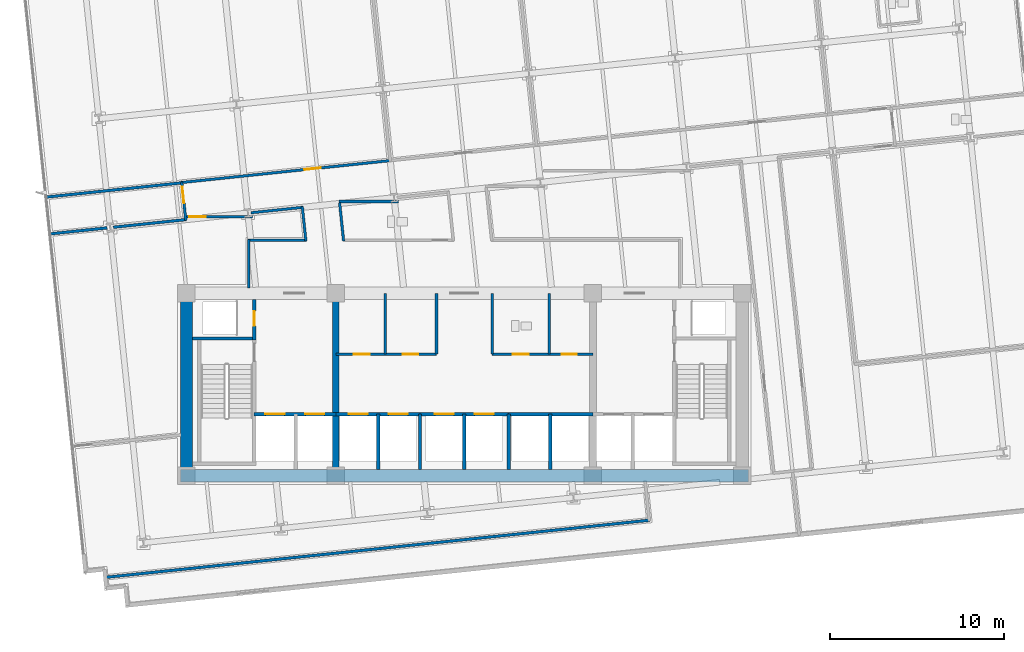
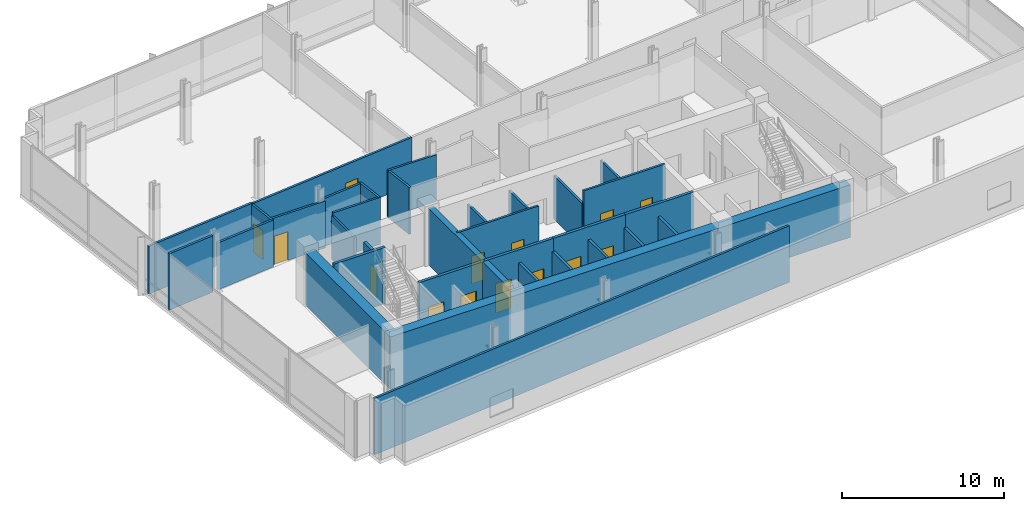
# One storey, part 12 of 20: 33 walls, 14 doors, 14 openings.
"""IFC4 building model written with IfcOpenShell, lengths in metres."""

from ifc_helpers import new_model, si_unit, direction, frame, frame_2d, origin, place, context, subcontext, project, spatial, rectangle, extrude, material, layer, layer_set, type_object, element, fill, save


model = new_model("IFC4")

# Units and contexts
model_context = context("Model", 3, precision=1e-05, world=origin(), true_north=direction((0.0, 1.0)))
body_context = subcontext(model_context, "Body", "Model", "MODEL_VIEW")
ifc_project = project(units=[si_unit("LENGTHUNIT", "METRE"), si_unit("AREAUNIT", "SQUARE_METRE"), si_unit("VOLUMEUNIT", "CUBIC_METRE"), si_unit("PLANEANGLEUNIT", "RADIAN"), si_unit("MASSUNIT", "GRAM", prefix="KILO")], contexts=[model_context])

# Site, building, storey
site_placement = place(None, origin())
site = spatial("IfcSite", under=ifc_project, at=site_placement, CompositionType="ELEMENT")
building_placement = place(site_placement, origin())
building = spatial("IfcBuilding", under=site, at=building_placement, Name="Solmavex Isthmus Hotel", CompositionType="ELEMENT")
storey_placement = place(building_placement, frame((0.0, 0.0, 97.35009765625)))
storey = spatial("IfcBuildingStorey", under=building, at=storey_placement, Name="L26", CompositionType="ELEMENT", Elevation=97.35009765625)

# Walls
ifc_material_1 = material(Name="Gypsum plasterboard lining", Category="gypsum")
ifc_layer_1 = layer(ifc_material_1, 0.159912109375)
ifc_layer_set_1 = layer_set([ifc_layer_1], Name="Gypsum plasterboard lining")
wall_type_1 = type_object("IfcWallType", Name="IW-COMP-160", PredefinedType="PARTITIONING", material=ifc_layer_set_1)
wall_1_placement = place(storey_placement, frame((-16.221923828125, 3.86474609375, 0.0), z_axis=(0.0, 0.0, 1.0), x_axis=(-0.994522987852, -0.104518068455, 0.0)))
element("IfcWall", 1, at=wall_1_placement, inside=storey, type_object=wall_type_1, Name="Interior Partition Wall W-L26-P032", PredefinedType="PARTITIONING", context=body_context, shape_type="SweptSolid", body=[
    extrude(rectangle(XDim=7.927978515625, YDim=0.159912109375, at=frame_2d((3.9638671875, 0.0))), origin(), (0.0, 0.0, 1.0), 3.60302734375),
])
wall_2_placement = place(storey_placement, frame((-20.558349609375, 1.267333984375, 0.0), z_axis=(0.0, 0.0, 1.0), x_axis=(-0.99451904707, -0.10455555946, 0.0)))
element("IfcWall", 2, at=wall_2_placement, inside=storey, type_object=wall_type_1, Name="Interior Partition Wall W-L26-P050", PredefinedType="PARTITIONING", context=body_context, shape_type="SweptSolid", body=[
    extrude(rectangle(XDim=3.34375, YDim=0.159912109375, at=frame_2d((1.671875, 0.0))), origin(), (0.0, 0.0, 1.0), 4.239990234375),
])
wall_3_placement = place(storey_placement, frame((-15.9892578125, 1.74755859375, 0.0), z_axis=(0.0, 0.0, 1.0), x_axis=(-0.994523098997, -0.104517010867, 0.0)))
element("IfcWall", 3, at=wall_3_placement, inside=storey, type_object=wall_type_1, Name="Interior Partition Wall W-L26-P051", PredefinedType="PARTITIONING", context=body_context, shape_type="SweptSolid", body=[
    extrude(rectangle(XDim=4.241943359375, YDim=0.159912109375, at=frame_2d((2.12109375, 0.0))), origin(), (0.0, 0.0, 1.0), 3.529296875),
])
wall_4_placement = place(storey_placement, frame((10.687744140625, -15.558837890625, 0.0), z_axis=(0.0, 0.0, 1.0), x_axis=(-0.994522141115, -0.104526125114, 0.0)))
element("IfcWall", 4, at=wall_4_placement, inside=storey, type_object=wall_type_1, Name="Interior Partition Wall W-L26-P056", PredefinedType="PARTITIONING", context=body_context, shape_type="SweptSolid", body=[
    extrude(rectangle(XDim=31.559814453125, YDim=0.159912109375, at=frame_2d((15.77978515625, 0.0))), origin(), (0.0, 0.0, 1.0), 4.239990234375),
])

# Wall, openings, doors
ifc_layer_2 = layer(ifc_material_1, 0.14990234375)
ifc_layer_set_2 = layer_set([ifc_layer_2], Name="Gypsum plasterboard lining")
wall_type_2 = type_object("IfcWallType", Name="IW-CORR-150", PredefinedType="PARTITIONING", material=ifc_layer_set_2)
wall_5_placement = place(storey_placement, frame((-7.39990234375, -6.0, 0.0), z_axis=(0.0, 0.0, 1.0), x_axis=(1.0, 0.0, 0.0)))
wall_5 = element("IfcWall", 5, at=wall_5_placement, inside=storey, type_object=wall_type_2, Name="Interior Partition Wall W-L26-BOH-WS", PredefinedType="PARTITIONING", context=body_context, shape_type="SweptSolid", body=[
    extrude(rectangle(XDim=5.7998046875, YDim=0.14990234375, at=frame_2d((2.89990234375, 0.0))), origin(), (0.0, 0.0, 1.0), 4.239990234375),
])
opening_1_placement = place(wall_5_placement, frame((1.050048828125, 0.0, 0.0)))
opening_1 = element("IfcOpeningElement", 6, at=opening_1_placement, cuts=wall_5, Name="Opening ID-C090", PredefinedType="OPENING", context=body_context, shape_type="SweptSolid", body=[
    extrude(rectangle(XDim=0.89990234375, YDim=2.10009765625, at=frame_2d((0.449951171875, 1.050048828125))), frame((0.0, 0.0849609375, 0.0), z_axis=(0.0, -1.0, 0.0), x_axis=(1.0, 0.0, 0.0)), (0.0, 0.0, 1.0), 0.169921875),
])
opening_2_placement = place(wall_5_placement, frame((3.85009765625, 0.0, 0.0)))
opening_2 = element("IfcOpeningElement", 7, at=opening_2_placement, cuts=wall_5, Name="Opening ID-C090", PredefinedType="OPENING", context=body_context, shape_type="SweptSolid", body=[
    extrude(rectangle(XDim=0.89990234375, YDim=2.10009765625, at=frame_2d((0.449951171875, 1.050048828125))), frame((0.0, 0.0849609375, 0.0), z_axis=(0.0, -1.0, 0.0), x_axis=(1.0, 0.0, 0.0)), (0.0, 0.0, 1.0), 0.169921875),
])
ifc_material_2 = material(Name="Hardwood timber", Category="wood")
door_type_1 = type_object("IfcDoorType", Name="IDR-FD60-0900", OperationType="NOTDEFINED", PredefinedType="DOOR", material=ifc_material_2)
door_1_placement = place(opening_1_placement, frame((0.89990234375, 0.0, 0.0), z_axis=(0.0, 0.0, 1.0), x_axis=(-1.0, 0.0, 0.0)))
door_1 = element("IfcDoor", 8, at=door_1_placement, inside=storey, type_object=door_type_1, Name="Linen Room Door L26", OperationType="SINGLE_SWING_LEFT", OverallHeight=2.10009765625, OverallWidth=0.89990234375, PredefinedType="DOOR", context=body_context, shape_type="SweptSolid", body=[
    extrude(rectangle(XDim=0.89990234375, YDim=2.10009765625, at=frame_2d((0.449951171875, 1.050048828125))), frame((0.0, 0.02490234375, 0.0), z_axis=(0.0, -1.0, 0.0), x_axis=(1.0, 0.0, 0.0)), (0.0, 0.0, 1.0), 0.050048828125),
])
fill(opening_1, door_1)
door_2_placement = place(opening_2_placement, frame((0.89990234375, 0.0, 0.0), z_axis=(0.0, 0.0, 1.0), x_axis=(-1.0, 0.0, 0.0)))
door_2 = element("IfcDoor", 9, at=door_2_placement, inside=storey, type_object=door_type_1, Name="Ice Pantry Door L26", OperationType="SINGLE_SWING_RIGHT", OverallHeight=2.10009765625, OverallWidth=0.89990234375, PredefinedType="DOOR", context=body_context, shape_type="SweptSolid", body=[
    extrude(rectangle(XDim=0.89990234375, YDim=2.10009765625, at=frame_2d((0.449951171875, 1.050048828125))), frame((0.0, 0.02490234375, 0.0), z_axis=(0.0, -1.0, 0.0), x_axis=(1.0, 0.0, 0.0)), (0.0, 0.0, 1.0), 0.050048828125),
])
fill(opening_2, door_2)

# Wall
wall_6_placement = place(storey_placement, frame((-1.60009765625, -6.0, 0.0), z_axis=(0.0, 0.0, 1.0), x_axis=(0.0, 1.0, 0.0)))
element("IfcWall", 10, at=wall_6_placement, inside=storey, type_object=wall_type_2, Name="Interior Partition Wall W-L26-BOH-WE", PredefinedType="PARTITIONING", context=body_context, shape_type="SweptSolid", body=[
    extrude(rectangle(XDim=3.5, YDim=0.14990234375, at=frame_2d((1.75, 0.0))), origin(), (0.0, 0.0, 1.0), 3.27490234375),
])

# Wall, openings, doors
wall_7_placement = place(storey_placement, frame((1.60009765625, -6.0, 0.0), z_axis=(0.0, 0.0, 1.0), x_axis=(1.0, 0.0, 0.0)))
wall_7 = element("IfcWall", 11, at=wall_7_placement, inside=storey, type_object=wall_type_2, Name="Interior Partition Wall W-L26-BOH-ES", PredefinedType="PARTITIONING", context=body_context, shape_type="SweptSolid", body=[
    extrude(rectangle(XDim=5.7998046875, YDim=0.14990234375, at=frame_2d((2.89990234375, 0.0))), origin(), (0.0, 0.0, 1.0), 4.239990234375),
])
opening_3_placement = place(wall_7_placement, frame((1.199951171875, 0.0, 0.0)))
opening_3 = element("IfcOpeningElement", 12, at=opening_3_placement, cuts=wall_7, Name="Opening ID-C090", PredefinedType="OPENING", context=body_context, shape_type="SweptSolid", body=[
    extrude(rectangle(XDim=0.89990234375, YDim=2.10009765625, at=frame_2d((0.449951171875, 1.050048828125))), frame((0.0, 0.0849609375, 0.0), z_axis=(0.0, -1.0, 0.0), x_axis=(1.0, 0.0, 0.0)), (0.0, 0.0, 1.0), 0.169921875),
])
opening_4_placement = place(wall_7_placement, frame((4.02490234375, 0.0, 0.0)))
opening_4 = element("IfcOpeningElement", 13, at=opening_4_placement, cuts=wall_7, Name="Opening ID-R085", PredefinedType="OPENING", context=body_context, shape_type="SweptSolid", body=[
    extrude(rectangle(XDim=0.85009765625, YDim=2.050048828125, at=frame_2d((0.425048828125, 1.02490234375))), frame((0.0, 0.0849609375, 0.0), z_axis=(0.0, -1.0, 0.0), x_axis=(1.0, 0.0, 0.0)), (0.0, 0.0, 1.0), 0.169921875),
])
ifc_material_3 = material(Name="Steel ASTM A500 Grade C", Category="steel")
door_type_2 = type_object("IfcDoorType", Name="IDR-FD60-0850", OperationType="NOTDEFINED", PredefinedType="DOOR", material=ifc_material_3)
door_3_placement = place(opening_4_placement, frame((0.85009765625, 0.0, 0.0), z_axis=(0.0, 0.0, 1.0), x_axis=(-1.0, 0.0, 0.0)))
door_3 = element("IfcDoor", 14, at=door_3_placement, inside=storey, type_object=door_type_2, Name="IT Room Door L26", OperationType="SINGLE_SWING_RIGHT", OverallHeight=2.050048828125, OverallWidth=0.85009765625, PredefinedType="DOOR", context=body_context, shape_type="SweptSolid", body=[
    extrude(rectangle(XDim=0.85009765625, YDim=2.050048828125, at=frame_2d((0.425048828125, 1.02490234375))), frame((0.0, 0.02490234375, 0.0), z_axis=(0.0, -1.0, 0.0), x_axis=(1.0, 0.0, 0.0)), (0.0, 0.0, 1.0), 0.050048828125),
])
fill(opening_4, door_3)
door_4_placement = place(opening_3_placement, frame((0.89990234375, 0.0, 0.0), z_axis=(0.0, 0.0, 1.0), x_axis=(-1.0, 0.0, 0.0)))
door_4 = element("IfcDoor", 15, at=door_4_placement, inside=storey, type_object=door_type_1, Name="Staff Restroom Door L26", OperationType="SINGLE_SWING_LEFT", OverallHeight=2.10009765625, OverallWidth=0.89990234375, PredefinedType="DOOR", context=body_context, shape_type="SweptSolid", body=[
    extrude(rectangle(XDim=0.89990234375, YDim=2.10009765625, at=frame_2d((0.449951171875, 1.050048828125))), frame((0.0, 0.02490234375, 0.0), z_axis=(0.0, -1.0, 0.0), x_axis=(1.0, 0.0, 0.0)), (0.0, 0.0, 1.0), 0.050048828125),
])
fill(opening_3, door_4)

# Wall
wall_8_placement = place(storey_placement, frame((1.60009765625, -6.0, 0.0), z_axis=(0.0, 0.0, 1.0), x_axis=(0.0, 1.0, 0.0)))
element("IfcWall", 16, at=wall_8_placement, inside=storey, type_object=wall_type_2, Name="Interior Partition Wall W-L26-BOH-EW", PredefinedType="PARTITIONING", context=body_context, shape_type="SweptSolid", body=[
    extrude(rectangle(XDim=3.5, YDim=0.14990234375, at=frame_2d((1.75, 0.0))), origin(), (0.0, 0.0, 1.0), 3.27490234375),
])

# Wall, opening, door
wall_9_placement = place(storey_placement, frame((-16.303466796875, 3.87646484375, 0.0), z_axis=(0.0, 0.0, 1.0), x_axis=(0.994522343224, 0.104524202122, 0.0)))
wall_9 = element("IfcWall", 17, at=wall_9_placement, inside=storey, type_object=wall_type_2, Name="Interior Partition Wall W-L26-P001", PredefinedType="PARTITIONING", context=body_context, shape_type="SweptSolid", body=[
    extrude(rectangle(XDim=12.187744140625, YDim=0.14990234375, at=frame_2d((6.09375, 0.0))), origin(), (0.0, 0.0, 1.0), 3.529296875),
])
opening_5_placement = place(wall_9_placement, frame((7.14453125, 0.0, 0.0)))
opening_5 = element("IfcOpeningElement", 18, at=opening_5_placement, cuts=wall_9, Name="Opening ID-C095", PredefinedType="OPENING", context=body_context, shape_type="SweptSolid", body=[
    extrude(rectangle(XDim=0.949951171875, YDim=2.14990234375, at=frame_2d((0.47509765625, 1.074951171875))), frame((0.0, 0.0849609375, 0.0), z_axis=(0.0, -1.0, 0.0), x_axis=(1.0, 0.0, 0.0)), (0.0, 0.0, 1.0), 0.169921875),
])
door_type_3 = type_object("IfcDoorType", Name="IDR-FD60-0950", OperationType="NOTDEFINED", PredefinedType="DOOR", material=ifc_material_2)
door_5_placement = place(opening_5_placement, origin())
door_5 = element("IfcDoor", 19, at=door_5_placement, inside=storey, type_object=door_type_3, Name="Corporate Briefing Office Door L26-01", OperationType="SINGLE_SWING_LEFT", OverallHeight=2.14990234375, OverallWidth=0.949951171875, PredefinedType="DOOR", context=body_context, shape_type="SweptSolid", body=[
    extrude(rectangle(XDim=0.949951171875, YDim=2.14990234375, at=frame_2d((0.47509765625, 1.074951171875))), frame((0.0, 0.02490234375, 0.0), z_axis=(0.0, -1.0, 0.0), x_axis=(1.0, 0.0, 0.0)), (0.0, 0.0, 1.0), 0.050048828125),
])
fill(opening_5, door_5)

# Walls
wall_10_placement = place(storey_placement, frame((-3.7841796875, 2.78857421875, 0.0), z_axis=(0.0, 0.0, 1.0), x_axis=(-1.0, 0.0, 0.0)))
element("IfcWall", 20, at=wall_10_placement, inside=storey, type_object=wall_type_2, Name="Interior Partition Wall W-L26-P005", PredefinedType="PARTITIONING", context=body_context, shape_type="SweptSolid", body=[
    extrude(rectangle(XDim=3.430419921875, YDim=0.14990234375, at=frame_2d((1.71533203125, 0.0))), origin(), (0.0, 0.0, 1.0), 3.529296875),
])
wall_11_placement = place(storey_placement, frame((-7.178955078125, 2.7138671875, 0.0), z_axis=(0.0, 0.0, 1.0), x_axis=(0.104455355485, -0.994529576589, 0.0)))
element("IfcWall", 21, at=wall_11_placement, inside=storey, type_object=wall_type_2, Name="Interior Partition Wall W-L26-P006", PredefinedType="PARTITIONING", context=body_context, shape_type="SweptSolid", body=[
    extrude(rectangle(XDim=2.2158203125, YDim=0.14990234375, at=frame_2d((1.10791015625, 0.0))), origin(), (0.0, 0.0, 1.0), 3.529296875),
])

# Wall, opening, door
wall_12_placement = place(storey_placement, frame((-16.034912109375, 1.70263671875, 0.0), z_axis=(0.0, 0.0, 1.0), x_axis=(-0.104512255544, 0.994523598735, 0.0)))
wall_12 = element("IfcWall", 22, at=wall_12_placement, inside=storey, type_object=wall_type_2, Name="Interior Partition Wall W-L26-P011", PredefinedType="PARTITIONING", context=body_context, shape_type="SweptSolid", body=[
    extrude(rectangle(XDim=2.2099609375, YDim=0.14990234375, at=frame_2d((1.10498046875, 0.0))), origin(), (0.0, 0.0, 1.0), 3.529296875),
])
opening_6_placement = place(wall_12_placement, frame((0.98779296875, 0.0, 0.0)))
opening_6 = element("IfcOpeningElement", 23, at=opening_6_placement, cuts=wall_12, Name="Opening ID-C095", PredefinedType="OPENING", context=body_context, shape_type="SweptSolid", body=[
    extrude(rectangle(XDim=0.949951171875, YDim=2.14990234375, at=frame_2d((0.47509765625, 1.074951171875))), frame((0.0, 0.0849609375, 0.0), z_axis=(0.0, -1.0, 0.0), x_axis=(1.0, 0.0, 0.0)), (0.0, 0.0, 1.0), 0.169921875),
])
door_6_placement = place(opening_6_placement, origin())
door_6 = element("IfcDoor", 24, at=door_6_placement, inside=storey, type_object=door_type_3, Name="Servery Kitchen Door L26-10", OperationType="SINGLE_SWING_RIGHT", OverallHeight=2.14990234375, OverallWidth=0.949951171875, PredefinedType="DOOR", context=body_context, shape_type="SweptSolid", body=[
    extrude(rectangle(XDim=0.949951171875, YDim=2.14990234375, at=frame_2d((0.47509765625, 1.074951171875))), frame((0.0, 0.02490234375, 0.0), z_axis=(0.0, -1.0, 0.0), x_axis=(1.0, 0.0, 0.0)), (0.0, 0.0, 1.0), 0.050048828125),
])
fill(opening_6, door_6)

# Walls
wall_13_placement = place(storey_placement, frame((-12.39990234375, -2.18994140625, 0.0), z_axis=(0.0, 0.0, 1.0), x_axis=(0.0, 1.0, 0.0)))
element("IfcWall", 25, at=wall_13_placement, inside=storey, type_object=wall_type_2, Name="Interior Partition Wall W-L26-P012", PredefinedType="PARTITIONING", context=body_context, shape_type="SweptSolid", body=[
    extrude(rectangle(XDim=2.780029296875, YDim=0.14990234375, at=frame_2d((1.39013671875, 0.0))), origin(), (0.0, 0.0, 1.0), 3.27490234375),
])
wall_14_placement = place(storey_placement, frame((-12.43994140625, 0.550048828125, 0.0), z_axis=(0.0, 0.0, 1.0), x_axis=(1.0, 0.0, 0.0)))
element("IfcWall", 26, at=wall_14_placement, inside=storey, type_object=wall_type_2, Name="Interior Partition Wall W-L26-P013", PredefinedType="PARTITIONING", context=body_context, shape_type="SweptSolid", body=[
    extrude(rectangle(XDim=3.3564453125, YDim=0.14990234375, at=frame_2d((1.67822265625, 0.0))), origin(), (0.0, 0.0, 1.0), 3.529296875),
])
wall_15_placement = place(storey_placement, frame((-9.119384765625, 0.51025390625, 0.0), z_axis=(0.0, 0.0, 1.0), x_axis=(-0.104473893665, 0.994527629351, 0.0)))
element("IfcWall", 27, at=wall_15_placement, inside=storey, type_object=wall_type_2, Name="Interior Partition Wall W-L26-P014", PredefinedType="PARTITIONING", context=body_context, shape_type="SweptSolid", body=[
    extrude(rectangle(XDim=1.98876953125, YDim=0.14990234375, at=frame_2d((0.994384765625, 0.0))), origin(), (0.0, 0.0, 1.0), 3.529296875),
])
wall_16_placement = place(storey_placement, frame((-9.283203125, 2.452392578125, 0.0), z_axis=(0.0, 0.0, 1.0), x_axis=(-0.994518748051, -0.104558403652, 0.0)))
element("IfcWall", 28, at=wall_16_placement, inside=storey, type_object=wall_type_2, Name="Interior Partition Wall W-L26-P015", PredefinedType="PARTITIONING", context=body_context, shape_type="SweptSolid", body=[
    extrude(rectangle(XDim=3.016845703125, YDim=0.14990234375, at=frame_2d((1.50830078125, 0.0))), origin(), (0.0, 0.0, 1.0), 3.529296875),
])

# Wall, opening, door
wall_17_placement = place(storey_placement, frame((-12.203857421875, 1.903564453125, 0.0), z_axis=(0.0, 0.0, 1.0), x_axis=(-1.0, 0.0, 0.0)))
wall_17 = element("IfcWall", 29, at=wall_17_placement, inside=storey, type_object=wall_type_2, Name="Interior Partition Wall W-L26-P016", PredefinedType="PARTITIONING", context=body_context, shape_type="SweptSolid", body=[
    extrude(rectangle(XDim=3.875, YDim=0.14990234375, at=frame_2d((1.9375, 0.0))), origin(), (0.0, 0.0, 1.0), 3.529296875),
])
opening_7_placement = place(wall_17_placement, frame((2.6669921875, 0.0, 0.0)))
opening_7 = element("IfcOpeningElement", 30, at=opening_7_placement, cuts=wall_17, Name="Opening ID-C095", PredefinedType="OPENING", context=body_context, shape_type="SweptSolid", body=[
    extrude(rectangle(XDim=0.949951171875, YDim=2.14990234375, at=frame_2d((0.47509765625, 1.074951171875))), frame((0.0, 0.0849609375, 0.0), z_axis=(0.0, -1.0, 0.0), x_axis=(1.0, 0.0, 0.0)), (0.0, 0.0, 1.0), 0.169921875),
])
door_7_placement = place(opening_7_placement, origin())
door_7 = element("IfcDoor", 31, at=door_7_placement, inside=storey, type_object=door_type_3, Name="VIP Boardroom Door L26-11", OperationType="SINGLE_SWING_LEFT", OverallHeight=2.14990234375, OverallWidth=0.949951171875, PredefinedType="DOOR", context=body_context, shape_type="SweptSolid", body=[
    extrude(rectangle(XDim=0.949951171875, YDim=2.14990234375, at=frame_2d((0.47509765625, 1.074951171875))), frame((0.0, 0.02490234375, 0.0), z_axis=(0.0, -1.0, 0.0), x_axis=(1.0, 0.0, 0.0)), (0.0, 0.0, 1.0), 0.050048828125),
])
fill(opening_7, door_7)

# Walls
ifc_layer_3 = layer(ifc_material_1, 0.1201171875)
ifc_layer_set_3 = layer_set([ifc_layer_3], Name="Gypsum plasterboard lining")
wall_type_3 = type_object("IfcWallType", Name="IW-PART-120", PredefinedType="PARTITIONING", material=ifc_layer_set_3)
for number, where, z_axis, x_axis, name in (
    (32, (-4.550048828125, -6.0, 0.0), (0.0, 0.0, 1.0), (0.0, 1.0, 0.0), "Interior Partition Wall W-L26-BOH-WM2"),
    (33, (4.89990234375, -6.0, 0.0), (0.0, 0.0, 1.0), (0.0, 1.0, 0.0), "Interior Partition Wall W-L26-BOH-EM2"),
):
    element("IfcWall", number, at=place(storey_placement, frame(where, z_axis=z_axis, x_axis=x_axis)), inside=storey, type_object=wall_type_3, Name=name, PredefinedType="PARTITIONING", context=body_context, shape_type="SweptSolid", body=[
        extrude(rectangle(XDim=3.5, YDim=0.14990234375, at=frame_2d((1.75, 0.0))), origin(), (0.0, 0.0, 1.0), 3.27490234375),
    ])
ifc_material_4 = material(Name="Concrete C40/50", Category="concrete")
ifc_layer_4 = layer(ifc_material_4, 0.179931640625)
ifc_layer_set_4 = layer_set([ifc_layer_4], Name="Concrete C40/50")
wall_type_4 = type_object("IfcWallType", Name="IW-SHAFT-180", PredefinedType="PARTITIONING", material=ifc_layer_set_4)
for number, where, z_axis, x_axis, name in (
    (34, (-4.949951171875, -12.64990234375, 0.0), (0.0, 0.0, 1.0), (0.0, 1.0, 0.0), "Interior Partition Wall W-L26-SH-PLL-M"),
    (35, (0.0, -12.64990234375, 0.0), (0.0, 0.0, 1.0), (0.0, 1.0, 0.0), "Interior Partition Wall W-L26-SH-PLM-M"),
    (36, (4.949951171875, -12.64990234375, 0.0), (0.0, 0.0, 1.0), (0.0, 1.0, 0.0), "Interior Partition Wall W-L26-SH-PLH-M"),
):
    element("IfcWall", number, at=place(storey_placement, frame(where, z_axis=z_axis, x_axis=x_axis)), inside=storey, type_object=wall_type_4, Name=name, PredefinedType="PARTITIONING", context=body_context, shape_type="SweptSolid", body=[
        extrude(rectangle(XDim=3.199951171875, YDim=0.179931640625, at=frame_2d((1.60009765625, 0.0))), origin(), (0.0, 0.0, 1.0), 3.27490234375),
    ])

# Wall, opening, door
ifc_layer_5 = layer(ifc_material_4, 0.199951171875)
ifc_layer_set_5 = layer_set([ifc_layer_5], Name="Concrete C40/50")
wall_type_5 = type_object("IfcWallType", Name="IW-SHAFT-200", PredefinedType="PARTITIONING", material=ifc_layer_set_5)
wall_18_placement = place(storey_placement, frame((-12.10009765625, -5.199951171875, 0.0), z_axis=(0.0, 0.0, 1.0), x_axis=(0.0, 1.0, 0.0)))
wall_18 = element("IfcWall", 37, at=wall_18_placement, inside=storey, type_object=wall_type_5, Name="Interior Partition Wall W-L26-RSW-E", PredefinedType="PARTITIONING", context=body_context, shape_type="SweptSolid", body=[
    extrude(rectangle(XDim=2.349853515625, YDim=0.199951171875, at=frame_2d((1.1748046875, 0.0))), origin(), (0.0, 0.0, 1.0), 3.27490234375),
])
opening_8_placement = place(wall_18_placement, frame((0.824951171875, 0.0, 0.0)))
opening_8 = element("IfcOpeningElement", 38, at=opening_8_placement, cuts=wall_18, Name="Opening ID-R085", PredefinedType="OPENING", context=body_context, shape_type="SweptSolid", body=[
    extrude(rectangle(XDim=0.85009765625, YDim=2.050048828125, at=frame_2d((0.425048828125, 1.02490234375))), frame((0.0, 0.10986328125, 0.0), z_axis=(0.0, -1.0, 0.0), x_axis=(1.0, 0.0, 0.0)), (0.0, 0.0, 1.0), 0.219970703125),
])
door_8_placement = place(opening_8_placement, origin())
door_8 = element("IfcDoor", 39, at=door_8_placement, inside=storey, type_object=door_type_2, Name="Electrical Riser Door L26", OperationType="SINGLE_SWING_RIGHT", OverallHeight=2.050048828125, OverallWidth=0.85009765625, PredefinedType="DOOR", context=body_context, shape_type="SweptSolid", body=[
    extrude(rectangle(XDim=0.85009765625, YDim=2.050048828125, at=frame_2d((0.425048828125, 1.02490234375))), frame((0.0, 0.02490234375, 0.0), z_axis=(0.0, -1.0, 0.0), x_axis=(1.0, 0.0, 0.0)), (0.0, 0.0, 1.0), 0.050048828125),
])
fill(opening_8, door_8)

# Wall, openings, doors
wall_19_placement = place(storey_placement, frame((-12.10009765625, -9.449951171875, 0.0), z_axis=(0.0, 0.0, 1.0), x_axis=(1.0, 0.0, 0.0)))
wall_19 = element("IfcWall", 40, at=wall_19_placement, inside=storey, type_object=wall_type_5, Name="Interior Partition Wall W-L26-FFLW-S", PredefinedType="PARTITIONING", context=body_context, shape_type="SweptSolid", body=[
    extrude(rectangle(XDim=4.7001953125, YDim=0.199951171875, at=frame_2d((2.35009765625, 0.0))), origin(), (0.0, 0.0, 1.0), 4.239990234375),
])
opening_9_placement = place(wall_19_placement, frame((0.64990234375, 0.0, 0.0)))
opening_9 = element("IfcOpeningElement", 41, at=opening_9_placement, cuts=wall_19, Name="Opening LD-FF", PredefinedType="OPENING", context=body_context, shape_type="SweptSolid", body=[
    extrude(rectangle(XDim=1.10009765625, YDim=2.199951171875, at=frame_2d((0.550048828125, 1.10009765625))), frame((0.0, 0.10986328125, 0.0), z_axis=(0.0, -1.0, 0.0), x_axis=(1.0, 0.0, 0.0)), (0.0, 0.0, 1.0), 0.219970703125),
])
opening_10_placement = place(wall_19_placement, frame((2.949951171875, 0.0, 0.0)))
opening_10 = element("IfcOpeningElement", 42, at=opening_10_placement, cuts=wall_19, Name="Opening LD-SV", PredefinedType="OPENING", context=body_context, shape_type="SweptSolid", body=[
    extrude(rectangle(XDim=1.10009765625, YDim=2.199951171875, at=frame_2d((0.550048828125, 1.10009765625))), frame((0.0, 0.10986328125, 0.0), z_axis=(0.0, -1.0, 0.0), x_axis=(1.0, 0.0, 0.0)), (0.0, 0.0, 1.0), 0.219970703125),
])
ifc_material_5 = material(Name="Stainless steel 316", Category="steel")
door_type_4 = type_object("IfcDoorType", Name="LDR-FF-1100", OperationType="NOTDEFINED", PredefinedType="DOOR", material=ifc_material_5)
door_9_placement = place(opening_9_placement, origin())
door_9 = element("IfcDoor", 43, at=door_9_placement, inside=storey, type_object=door_type_4, Name="Lift Landing Door FFL-1 L26", OperationType="SLIDING_TO_LEFT", OverallHeight=2.199951171875, OverallWidth=1.10009765625, PredefinedType="DOOR", context=body_context, shape_type="SweptSolid", body=[
    extrude(rectangle(XDim=1.10009765625, YDim=2.199951171875, at=frame_2d((0.550048828125, 1.10009765625))), frame((0.0, 0.02490234375, 0.0), z_axis=(0.0, -1.0, 0.0), x_axis=(1.0, 0.0, 0.0)), (0.0, 0.0, 1.0), 0.050048828125),
])
fill(opening_9, door_9)
door_type_5 = type_object("IfcDoorType", Name="LDR-SV-1100", OperationType="NOTDEFINED", PredefinedType="DOOR", material=ifc_material_5)
door_10_placement = place(opening_10_placement, origin())
door_10 = element("IfcDoor", 44, at=door_10_placement, inside=storey, type_object=door_type_5, Name="Lift Landing Door SVL-1 L26", OperationType="SLIDING_TO_RIGHT", OverallHeight=2.199951171875, OverallWidth=1.10009765625, PredefinedType="DOOR", context=body_context, shape_type="SweptSolid", body=[
    extrude(rectangle(XDim=1.10009765625, YDim=2.199951171875, at=frame_2d((0.550048828125, 1.10009765625))), frame((0.0, 0.02490234375, 0.0), z_axis=(0.0, -1.0, 0.0), x_axis=(1.0, 0.0, 0.0)), (0.0, 0.0, 1.0), 0.050048828125),
])
fill(opening_10, door_10)

wall_20_placement = place(storey_placement, frame((-7.39990234375, -9.449951171875, 0.0), z_axis=(0.0, 0.0, 1.0), x_axis=(1.0, 0.0, 0.0)))
wall_20 = element("IfcWall", 45, at=wall_20_placement, inside=storey, type_object=wall_type_5, Name="Interior Partition Wall W-L26-SH-PLL", PredefinedType="PARTITIONING", context=body_context, shape_type="SweptSolid", body=[
    extrude(rectangle(XDim=4.849853515625, YDim=0.199951171875, at=frame_2d((2.4248046875, 0.0))), origin(), (0.0, 0.0, 1.0), 4.239990234375),
])
opening_11_placement = place(wall_20_placement, frame((0.75, 0.0, 0.0)))
opening_11 = element("IfcOpeningElement", 46, at=opening_11_placement, cuts=wall_20, Name="Opening LD-PL", PredefinedType="OPENING", context=body_context, shape_type="SweptSolid", body=[
    extrude(rectangle(XDim=1.10009765625, YDim=2.199951171875, at=frame_2d((0.550048828125, 1.10009765625))), frame((0.0, 0.10986328125, 0.0), z_axis=(0.0, -1.0, 0.0), x_axis=(1.0, 0.0, 0.0)), (0.0, 0.0, 1.0), 0.219970703125),
])
opening_12_placement = place(wall_20_placement, frame((3.050048828125, 0.0, 0.0)))
opening_12 = element("IfcOpeningElement", 47, at=opening_12_placement, cuts=wall_20, Name="Opening LD-PL", PredefinedType="OPENING", context=body_context, shape_type="SweptSolid", body=[
    extrude(rectangle(XDim=1.10009765625, YDim=2.199951171875, at=frame_2d((0.550048828125, 1.10009765625))), frame((0.0, 0.10986328125, 0.0), z_axis=(0.0, -1.0, 0.0), x_axis=(1.0, 0.0, 0.0)), (0.0, 0.0, 1.0), 0.219970703125),
])
door_type_6 = type_object("IfcDoorType", Name="LDR-PL-1100", OperationType="NOTDEFINED", PredefinedType="DOOR", material=ifc_material_5)
door_11_placement = place(opening_11_placement, origin())
door_11 = element("IfcDoor", 48, at=door_11_placement, inside=storey, type_object=door_type_6, Name="Lift Landing Door PLL1 L26", OperationType="SLIDING_TO_LEFT", OverallHeight=2.199951171875, OverallWidth=1.10009765625, PredefinedType="DOOR", context=body_context, shape_type="SweptSolid", body=[
    extrude(rectangle(XDim=1.10009765625, YDim=2.199951171875, at=frame_2d((0.550048828125, 1.10009765625))), frame((0.0, 0.02490234375, 0.0), z_axis=(0.0, -1.0, 0.0), x_axis=(1.0, 0.0, 0.0)), (0.0, 0.0, 1.0), 0.050048828125),
])
fill(opening_11, door_11)
door_12_placement = place(opening_12_placement, origin())
door_12 = element("IfcDoor", 49, at=door_12_placement, inside=storey, type_object=door_type_6, Name="Lift Landing Door PLL2 L26", OperationType="SLIDING_TO_LEFT", OverallHeight=2.199951171875, OverallWidth=1.10009765625, PredefinedType="DOOR", context=body_context, shape_type="SweptSolid", body=[
    extrude(rectangle(XDim=1.10009765625, YDim=2.199951171875, at=frame_2d((0.550048828125, 1.10009765625))), frame((0.0, 0.02490234375, 0.0), z_axis=(0.0, -1.0, 0.0), x_axis=(1.0, 0.0, 0.0)), (0.0, 0.0, 1.0), 0.050048828125),
])
fill(opening_12, door_12)

# Wall
wall_21_placement = place(storey_placement, frame((-2.550048828125, -12.64990234375, 0.0), z_axis=(0.0, 0.0, 1.0), x_axis=(0.0, 1.0, 0.0)))
element("IfcWall", 50, at=wall_21_placement, inside=storey, type_object=wall_type_5, Name="Interior Partition Wall W-L26-SH-PLL-E", PredefinedType="PARTITIONING", context=body_context, shape_type="SweptSolid", body=[
    extrude(rectangle(XDim=3.199951171875, YDim=0.199951171875, at=frame_2d((1.60009765625, 0.0))), origin(), (0.0, 0.0, 1.0), 3.27490234375),
])

# Wall, openings, doors
wall_22_placement = place(storey_placement, frame((-2.550048828125, -9.449951171875, 0.0), z_axis=(0.0, 0.0, 1.0), x_axis=(1.0, 0.0, 0.0)))
wall_22 = element("IfcWall", 51, at=wall_22_placement, inside=storey, type_object=wall_type_5, Name="Interior Partition Wall W-L26-SH-PLM", PredefinedType="PARTITIONING", context=body_context, shape_type="SweptSolid", body=[
    extrude(rectangle(XDim=5.10009765625, YDim=0.199951171875, at=frame_2d((2.550048828125, 0.0))), origin(), (0.0, 0.0, 1.0), 4.239990234375),
])
opening_13_placement = place(wall_22_placement, frame((0.85009765625, 0.0, 0.0)))
opening_13 = element("IfcOpeningElement", 52, at=opening_13_placement, cuts=wall_22, Name="Opening LD-PL", PredefinedType="OPENING", context=body_context, shape_type="SweptSolid", body=[
    extrude(rectangle(XDim=1.10009765625, YDim=2.199951171875, at=frame_2d((0.550048828125, 1.10009765625))), frame((0.0, 0.10986328125, 0.0), z_axis=(0.0, -1.0, 0.0), x_axis=(1.0, 0.0, 0.0)), (0.0, 0.0, 1.0), 0.219970703125),
])
opening_14_placement = place(wall_22_placement, frame((3.14990234375, 0.0, 0.0)))
opening_14 = element("IfcOpeningElement", 53, at=opening_14_placement, cuts=wall_22, Name="Opening LD-PL", PredefinedType="OPENING", context=body_context, shape_type="SweptSolid", body=[
    extrude(rectangle(XDim=1.10009765625, YDim=2.199951171875, at=frame_2d((0.550048828125, 1.10009765625))), frame((0.0, 0.10986328125, 0.0), z_axis=(0.0, -1.0, 0.0), x_axis=(1.0, 0.0, 0.0)), (0.0, 0.0, 1.0), 0.219970703125),
])
door_13_placement = place(opening_13_placement, origin())
door_13 = element("IfcDoor", 54, at=door_13_placement, inside=storey, type_object=door_type_6, Name="Lift Landing Door PLM1 L26", OperationType="SLIDING_TO_RIGHT", OverallHeight=2.199951171875, OverallWidth=1.10009765625, PredefinedType="DOOR", context=body_context, shape_type="SweptSolid", body=[
    extrude(rectangle(XDim=1.10009765625, YDim=2.199951171875, at=frame_2d((0.550048828125, 1.10009765625))), frame((0.0, 0.02490234375, 0.0), z_axis=(0.0, -1.0, 0.0), x_axis=(1.0, 0.0, 0.0)), (0.0, 0.0, 1.0), 0.050048828125),
])
fill(opening_13, door_13)
door_14_placement = place(opening_14_placement, origin())
door_14 = element("IfcDoor", 55, at=door_14_placement, inside=storey, type_object=door_type_6, Name="Lift Landing Door PLM2 L26", OperationType="SLIDING_TO_RIGHT", OverallHeight=2.199951171875, OverallWidth=1.10009765625, PredefinedType="DOOR", context=body_context, shape_type="SweptSolid", body=[
    extrude(rectangle(XDim=1.10009765625, YDim=2.199951171875, at=frame_2d((0.550048828125, 1.10009765625))), frame((0.0, 0.02490234375, 0.0), z_axis=(0.0, -1.0, 0.0), x_axis=(1.0, 0.0, 0.0)), (0.0, 0.0, 1.0), 0.050048828125),
])
fill(opening_14, door_14)

# Walls
wall_23_placement = place(storey_placement, frame((2.550048828125, -12.64990234375, 0.0), z_axis=(0.0, 0.0, 1.0), x_axis=(0.0, 1.0, 0.0)))
element("IfcWall", 56, at=wall_23_placement, inside=storey, type_object=wall_type_5, Name="Interior Partition Wall W-L26-SH-PLM-E", PredefinedType="PARTITIONING", context=body_context, shape_type="SweptSolid", body=[
    extrude(rectangle(XDim=3.199951171875, YDim=0.199951171875, at=frame_2d((1.60009765625, 0.0))), origin(), (0.0, 0.0, 1.0), 3.27490234375),
])
wall_24_placement = place(storey_placement, frame((2.550048828125, -9.449951171875, 0.0), z_axis=(0.0, 0.0, 1.0), x_axis=(1.0, 0.0, 0.0)))
element("IfcWall", 57, at=wall_24_placement, inside=storey, type_object=wall_type_5, Name="Interior Partition Wall W-L26-SH-PLH", PredefinedType="PARTITIONING", context=body_context, shape_type="SweptSolid", body=[
    extrude(rectangle(XDim=4.849853515625, YDim=0.199951171875, at=frame_2d((2.4248046875, 0.0))), origin(), (0.0, 0.0, 1.0), 4.239990234375),
])
ifc_material_6 = material(Name="Concrete C60/75", Category="concrete")
ifc_layer_6 = layer(ifc_material_6, 0.39990234375)
ifc_layer_set_6 = layer_set([ifc_layer_6], Name="Concrete C60/75")
wall_type_6 = type_object("IfcWallType", Name="WALL-CW-400M", PredefinedType="SHEAR", material=ifc_layer_set_6)
wall_25_placement = place(storey_placement, frame((-7.39990234375, -12.64990234375, 0.0), z_axis=(0.0, 0.0, 1.0), x_axis=(0.0, 1.0, 0.0)))
element("IfcWall", 58, at=wall_25_placement, inside=storey, type_object=wall_type_6, Name="Core Cross Shear Wall C1 L26", PredefinedType="SHEAR", context=body_context, shape_type="SweptSolid", body=[
    extrude(rectangle(XDim=9.7998046875, YDim=0.39990234375, at=frame_2d((4.89990234375, 0.0))), origin(), (0.0, 0.0, 1.0), 4.239990234375),
])
ifc_layer_7 = layer(ifc_material_6, 0.699951171875)
ifc_layer_set_7 = layer_set([ifc_layer_7], Name="Concrete C60/75")
wall_type_7 = type_object("IfcWallType", Name="WALL-CW-700", PredefinedType="SHEAR", material=ifc_layer_set_7)
wall_26_placement = place(storey_placement, frame((-16.35009765625, -13.0, 0.0), z_axis=(0.0, 0.0, 1.0), x_axis=(1.0, 0.0, 0.0)))
element("IfcWall", 59, at=wall_26_placement, inside=storey, type_object=wall_type_7, Name="Core Shear Wall South L26", PredefinedType="SHEAR", context=body_context, shape_type="SweptSolid", body=[
    extrude(rectangle(XDim=32.7001953125, YDim=0.699951171875, at=frame_2d((16.35009765625, 0.0))), origin(), (0.0, 0.0, 1.0), 3.9599609375),
])
wall_27_placement = place(storey_placement, frame((-16.0, -12.64990234375, 0.0), z_axis=(0.0, 0.0, 1.0), x_axis=(0.0, 1.0, 0.0)))
element("IfcWall", 60, at=wall_27_placement, inside=storey, type_object=wall_type_7, Name="Core Shear Wall West L26", PredefinedType="SHEAR", context=body_context, shape_type="SweptSolid", body=[
    extrude(rectangle(XDim=9.7998046875, YDim=0.699951171875, at=frame_2d((4.89990234375, 0.0))), origin(), (0.0, 0.0, 1.0), 3.9599609375),
])
ifc_layer_8 = layer(ifc_material_4, 0.199951171875)
ifc_layer_set_8 = layer_set([ifc_layer_8], Name="Concrete C40/50")
wall_type_8 = type_object("IfcWallType", Name="WALL-SW-200", PredefinedType="SOLIDWALL", material=ifc_layer_set_8)
wall_28_placement = place(storey_placement, frame((-15.64990234375, -5.10009765625, 0.0), z_axis=(0.0, 0.0, 1.0), x_axis=(1.0, 0.0, 0.0)))
element("IfcWall", 61, at=wall_28_placement, inside=storey, type_object=wall_type_8, Name="Stairwell Structural Wall SW-L26-ST1-N", PredefinedType="SOLIDWALL", context=body_context, shape_type="SweptSolid", body=[
    extrude(rectangle(XDim=3.64990234375, YDim=0.199951171875, at=frame_2d((1.824951171875, 0.0))), origin(), (0.0, 0.0, 1.0), 4.239990234375),
])

save(model, "model.ifc")
